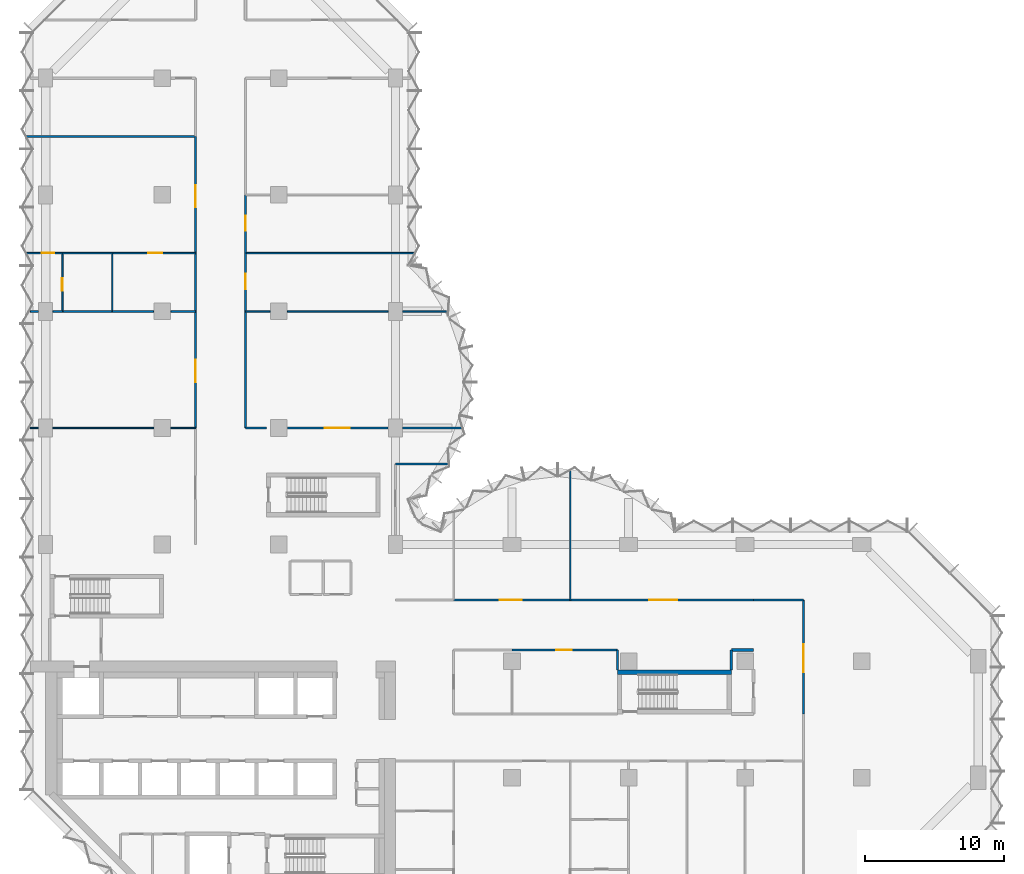
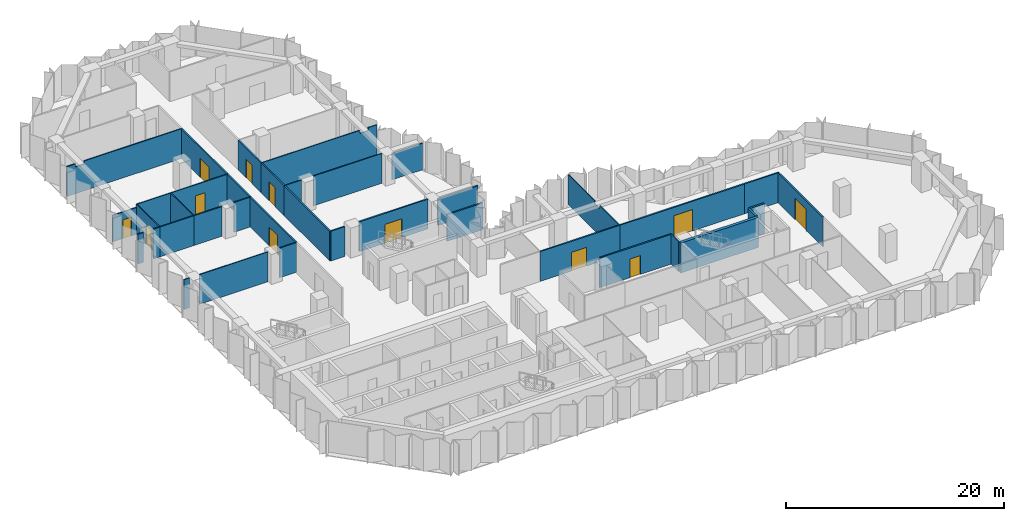
# One storey, part 10 of 13: 38 walls, 12 doors, 12 openings.
"""IFC4 building model written with IfcOpenShell, lengths in metres."""

from ifc_helpers import new_model, si_unit, direction, frame, frame_2d, origin, place, context, subcontext, project, spatial, polyline, rectangle, outline, extrude, material, layer, layer_set, type_object, element, fill, save


model = new_model("IFC4")

# Units and contexts
model_context = context("Model", 3, precision=1e-05, world=origin(), true_north=direction((0.0, 1.0)))
body_context = subcontext(model_context, "Body", "Model", "MODEL_VIEW")
ifc_project = project(units=[si_unit("LENGTHUNIT", "METRE"), si_unit("AREAUNIT", "SQUARE_METRE"), si_unit("VOLUMEUNIT", "CUBIC_METRE"), si_unit("PLANEANGLEUNIT", "RADIAN"), si_unit("MASSUNIT", "GRAM", prefix="KILO")], contexts=[model_context])

# Site, building, storey
site_placement = place(None, origin())
site = spatial("IfcSite", under=ifc_project, at=site_placement, CompositionType="ELEMENT")
building_placement = place(site_placement, origin())
building = spatial("IfcBuilding", under=site, at=building_placement, Name="Brevane Broadcast Tower", CompositionType="ELEMENT")
storey_placement = place(building_placement, frame((0.0, 0.0, 106.10009765625)))
storey = spatial("IfcBuildingStorey", under=building, at=storey_placement, Name="L25", CompositionType="ELEMENT", Elevation=106.10009765625)

# Walls
ifc_material_1 = material(Name="Concrete C60/75", Category="concrete")
ifc_layer_1 = layer(ifc_material_1, 0.300048828125)
ifc_layer_set_1 = layer_set([ifc_layer_1], Name="Core wall 300 mm C60/75")
wall_type_1 = type_object("IfcWallType", Name="Core wall 300 mm C60/75", PredefinedType="SHEAR", material=ifc_layer_set_1)
wall_1_placement = place(storey_placement, frame((41.199951171875, 16.0, 0.0), z_axis=(0.0, 0.0, 1.0), x_axis=(1.0, 0.0, 0.0)))
element("IfcWall", 1, at=wall_1_placement, inside=storey, type_object=wall_type_1, Name="L25 stair wall ST-4-N", PredefinedType="SHEAR", context=body_context, shape_type="SweptSolid", body=[
    extrude(rectangle(XDim=8.199951171875, YDim=0.300048828125, at=frame_2d((4.10009765625, 0.0))), origin(), (0.0, 0.0, 1.0), 3.349853515625),
])
ifc_material_2 = material(Name="Gypsum board partition")
ifc_layer_2 = layer(ifc_material_2, 0.10009765625)
ifc_layer_set_2 = layer_set([ifc_layer_2], Name="PARTITION 100 STUD")
wall_type_2 = type_object("IfcWallType", Name="PARTITION 100 STUD", PredefinedType="PARTITIONING", material=ifc_layer_set_2)
wall_2_placement = place(storey_placement, frame((37.800048828125, 30.52587890625, 0.0), z_axis=(0.0, 0.0, 1.0), x_axis=(0.0, -1.0, 0.0)))
element("IfcWall", 2, at=wall_2_placement, inside=storey, type_object=wall_type_2, Name="Partition G07-047", PredefinedType="PARTITIONING", context=body_context, shape_type="SweptSolid", body=[
    extrude(outline(polyline([(0.0, 0.0), (9.325927734375, 0.0), (9.325927734375, 3.329833984375), (5.77587890625, 3.329833984375), (5.77392578125, 2.97998046875), (4.8779296875, 2.97998046875), (4.8759765625, 3.329833984375), (0.283203125, 3.329833984375), (0.0, 3.329833984375), (0.0, 0.0)])), frame((0.0, 0.050048828125, 0.0), z_axis=(0.0, -1.0, 0.0), x_axis=(1.0, 0.0, 0.0)), (0.0, 0.0, 1.0), 0.10009765625),
])
wall_3_placement = place(storey_placement, frame((-1.10009765625, 33.60009765625, 0.0), z_axis=(0.0, 0.0, 1.0), x_axis=(1.0, 0.0, 0.0)))
element("IfcWall", 3, at=wall_3_placement, inside=storey, type_object=wall_type_2, Name="Partition G07-066", PredefinedType="PARTITIONING", context=body_context, shape_type="SweptSolid", body=[
    extrude(rectangle(XDim=0.580078125, YDim=0.10009765625, at=frame_2d((0.2900390625, 0.0))), origin(), (0.0, 0.0, 1.0), 3.329833984375),
])
wall_4_placement = place(storey_placement, frame((0.52001953125, 33.60009765625, 0.0), z_axis=(0.0, 0.0, 1.0), x_axis=(1.0, 0.0, 0.0)))
element("IfcWall", 4, at=wall_4_placement, inside=storey, type_object=wall_type_2, Name="Partition G07-067", PredefinedType="PARTITIONING", context=body_context, shape_type="SweptSolid", body=[
    extrude(rectangle(XDim=7.260009765625, YDim=0.10009765625, at=frame_2d((3.6298828125, 0.0))), origin(), (0.0, 0.0, 1.0), 3.329833984375),
])
wall_5_placement = place(storey_placement, frame((9.02001953125, 33.60009765625, 0.0), z_axis=(0.0, 0.0, 1.0), x_axis=(1.0, 0.0, 0.0)))
element("IfcWall", 5, at=wall_5_placement, inside=storey, type_object=wall_type_2, Name="Partition G07-068", PredefinedType="PARTITIONING", context=body_context, shape_type="SweptSolid", body=[
    extrude(rectangle(XDim=1.780029296875, YDim=0.10009765625, at=frame_2d((0.89013671875, 0.0))), origin(), (0.0, 0.0, 1.0), 3.329833984375),
])

# Wall, opening, door
wall_6_placement = place(storey_placement, frame((1.199951171875, 46.199951171875, 0.0), z_axis=(0.0, 0.0, 1.0), x_axis=(-1.0, 0.0, 0.0)))
wall_6 = element("IfcWall", 6, at=wall_6_placement, inside=storey, type_object=wall_type_2, Name="Partition G07-074", PredefinedType="PARTITIONING", context=body_context, shape_type="SweptSolid", body=[
    extrude(rectangle(XDim=2.56494140625, YDim=0.10009765625, at=frame_2d((1.282470703125, 0.0))), origin(), (0.0, 0.0, 1.0), 2.97998046875),
])
opening_1_placement = place(wall_6_placement, frame((0.60009765625, 0.0, 0.0)))
opening_1 = element("IfcOpeningElement", 7, at=opening_1_placement, cuts=wall_6, Name="Opening D14-021", PredefinedType="OPENING", context=body_context, shape_type="SweptSolid", body=[
    extrude(rectangle(XDim=0.89990234375, YDim=2.10009765625, at=frame_2d((0.449951171875, 1.050048828125))), frame((0.0, 0.06005859375, 0.0), z_axis=(0.0, -1.0, 0.0), x_axis=(1.0, 0.0, 0.0)), (0.0, 0.0, 1.0), 0.1201171875),
])
ifc_material_3 = material(Name="Timber door leaf", Category="wood")
door_type_1 = type_object("IfcDoorType", Name="DOOR SINGLE 900 INTERNAL", OperationType="SINGLE_SWING_LEFT", PredefinedType="DOOR", material=ifc_material_3)
door_1_placement = place(opening_1_placement, origin())
door_1 = element("IfcDoor", 8, at=door_1_placement, inside=storey, type_object=door_type_1, Name="Door D14-021", OperationType="SINGLE_SWING_LEFT", OverallHeight=2.10009765625, OverallWidth=0.89990234375, PredefinedType="DOOR", context=body_context, shape_type="SweptSolid", body=[
    extrude(rectangle(XDim=0.89990234375, YDim=2.10009765625, at=frame_2d((0.449951171875, 1.050048828125))), frame((0.0, 0.02490234375, 0.0), z_axis=(0.0, -1.0, 0.0), x_axis=(1.0, 0.0, 0.0)), (0.0, 0.0, 1.0), 0.050048828125),
])
fill(opening_1, door_1)

# Wall
wall_7_placement = place(storey_placement, frame((4.800048828125, 46.199951171875, 0.0), z_axis=(0.0, 0.0, 1.0), x_axis=(-1.0, 0.0, 0.0)))
element("IfcWall", 9, at=wall_7_placement, inside=storey, type_object=wall_type_2, Name="Partition G07-075", PredefinedType="PARTITIONING", context=body_context, shape_type="SweptSolid", body=[
    extrude(rectangle(XDim=3.60009765625, YDim=0.10009765625, at=frame_2d((1.800048828125, 0.0))), origin(), (0.0, 0.0, 1.0), 3.329833984375),
])

# Wall, opening, door
wall_8_placement = place(storey_placement, frame((10.800048828125, 46.199951171875, 0.0), z_axis=(0.0, 0.0, 1.0), x_axis=(-1.0, 0.0, 0.0)))
wall_8 = element("IfcWall", 10, at=wall_8_placement, inside=storey, type_object=wall_type_2, Name="Partition G07-076", PredefinedType="PARTITIONING", context=body_context, shape_type="SweptSolid", body=[
    extrude(rectangle(XDim=6.0, YDim=0.10009765625, at=frame_2d((3.0, 0.0))), origin(), (0.0, 0.0, 1.0), 3.329833984375),
])
opening_2_placement = place(wall_8_placement, frame((2.39990234375, 0.0, 0.0)))
opening_2 = element("IfcOpeningElement", 11, at=opening_2_placement, cuts=wall_8, Name="Opening D14-023", PredefinedType="OPENING", context=body_context, shape_type="SweptSolid", body=[
    extrude(rectangle(XDim=1.0, YDim=2.10009765625, at=frame_2d((0.5, 1.050048828125))), frame((0.0, 0.06005859375, 0.0), z_axis=(0.0, -1.0, 0.0), x_axis=(1.0, 0.0, 0.0)), (0.0, 0.0, 1.0), 0.1201171875),
])
door_type_2 = type_object("IfcDoorType", Name="DOOR SINGLE 1000 INTERNAL", OperationType="SINGLE_SWING_LEFT", PredefinedType="DOOR", material=ifc_material_3)
door_2_placement = place(opening_2_placement, origin())
door_2 = element("IfcDoor", 12, at=door_2_placement, inside=storey, type_object=door_type_2, Name="Door D14-023", OperationType="SINGLE_SWING_LEFT", OverallHeight=2.10009765625, OverallWidth=1.0, PredefinedType="DOOR", context=body_context, shape_type="SweptSolid", body=[
    extrude(rectangle(XDim=1.0, YDim=2.10009765625, at=frame_2d((0.5, 1.050048828125))), frame((0.0, 0.02490234375, 0.0), z_axis=(0.0, -1.0, 0.0), x_axis=(1.0, 0.0, 0.0)), (0.0, 0.0, 1.0), 0.050048828125),
])
fill(opening_2, door_2)

wall_9_placement = place(storey_placement, frame((1.199951171875, 46.199951171875, 0.0), z_axis=(0.0, 0.0, 1.0), x_axis=(0.0, -1.0, 0.0)))
wall_9 = element("IfcWall", 13, at=wall_9_placement, inside=storey, type_object=wall_type_2, Name="Partition G07-078", PredefinedType="PARTITIONING", context=body_context, shape_type="SweptSolid", body=[
    extrude(rectangle(XDim=4.199951171875, YDim=0.10009765625, at=frame_2d((2.10009765625, 0.0))), origin(), (0.0, 0.0, 1.0), 3.329833984375),
])
opening_3_placement = place(wall_9_placement, frame((1.800048828125, 0.0, 0.0)))
opening_3 = element("IfcOpeningElement", 14, at=opening_3_placement, cuts=wall_9, Name="Opening D14-022", PredefinedType="OPENING", context=body_context, shape_type="SweptSolid", body=[
    extrude(rectangle(XDim=0.89990234375, YDim=2.10009765625, at=frame_2d((0.449951171875, 1.050048828125))), frame((0.0, 0.06005859375, 0.0), z_axis=(0.0, -1.0, 0.0), x_axis=(1.0, 0.0, 0.0)), (0.0, 0.0, 1.0), 0.1201171875),
])
door_3_placement = place(opening_3_placement, origin())
door_3 = element("IfcDoor", 15, at=door_3_placement, inside=storey, type_object=door_type_1, Name="Door D14-022", OperationType="SINGLE_SWING_LEFT", OverallHeight=2.10009765625, OverallWidth=0.89990234375, PredefinedType="DOOR", context=body_context, shape_type="SweptSolid", body=[
    extrude(rectangle(XDim=0.89990234375, YDim=2.10009765625, at=frame_2d((0.449951171875, 1.050048828125))), frame((0.0, 0.02490234375, 0.0), z_axis=(0.0, -1.0, 0.0), x_axis=(1.0, 0.0, 0.0)), (0.0, 0.0, 1.0), 0.050048828125),
])
fill(opening_3, door_3)

# Walls
wall_10_placement = place(storey_placement, frame((4.800048828125, 46.199951171875, 0.0), z_axis=(0.0, 0.0, 1.0), x_axis=(0.0, -1.0, 0.0)))
element("IfcWall", 16, at=wall_10_placement, inside=storey, type_object=wall_type_2, Name="Partition G07-079", PredefinedType="PARTITIONING", context=body_context, shape_type="SweptSolid", body=[
    extrude(rectangle(XDim=4.199951171875, YDim=0.10009765625, at=frame_2d((2.10009765625, 0.0))), origin(), (0.0, 0.0, 1.0), 3.329833984375),
])
wall_11_placement = place(storey_placement, frame((14.39990234375, 42.0, 0.0), z_axis=(0.0, 0.0, 1.0), x_axis=(1.0, 0.0, 0.0)))
element("IfcWall", 17, at=wall_11_placement, inside=storey, type_object=wall_type_2, Name="Partition G07-084", PredefinedType="PARTITIONING", context=body_context, shape_type="SweptSolid", body=[
    extrude(rectangle(XDim=1.780029296875, YDim=0.10009765625, at=frame_2d((0.89013671875, 0.0))), origin(), (0.0, 0.0, 1.0), 3.329833984375),
])
wall_12_placement = place(storey_placement, frame((17.419921875, 42.0, 0.0), z_axis=(0.0, 0.0, 1.0), x_axis=(1.0, 0.0, 0.0)))
element("IfcWall", 18, at=wall_12_placement, inside=storey, type_object=wall_type_2, Name="Partition G07-085", PredefinedType="PARTITIONING", context=body_context, shape_type="SweptSolid", body=[
    extrude(rectangle(XDim=7.260009765625, YDim=0.10009765625, at=frame_2d((3.6298828125, 0.0))), origin(), (0.0, 0.0, 1.0), 3.329833984375),
])
wall_13_placement = place(storey_placement, frame((25.719970703125, 42.0, 0.0), z_axis=(0.0, 0.0, 1.0), x_axis=(1.0, 0.0, 0.0)))
element("IfcWall", 19, at=wall_13_placement, inside=storey, type_object=wall_type_2, Name="Partition G07-086", PredefinedType="PARTITIONING", context=body_context, shape_type="SweptSolid", body=[
    extrude(rectangle(XDim=3.29150390625, YDim=0.10009765625, at=frame_2d((1.645751953125, 0.0))), origin(), (0.0, 0.0, 1.0), 2.97998046875),
])
wall_14_placement = place(storey_placement, frame((14.39990234375, 46.199951171875, 0.0), z_axis=(0.0, 0.0, 1.0), x_axis=(1.0, 0.0, 0.0)))
element("IfcWall", 20, at=wall_14_placement, inside=storey, type_object=wall_type_2, Name="Partition G07-087", PredefinedType="PARTITIONING", context=body_context, shape_type="SweptSolid", body=[
    extrude(outline(polyline([(0.0, 0.0), (12.1650390625, 0.0), (12.1650390625, 3.329833984375), (11.89990234375, 3.329833984375), (11.25, 3.329833984375), (11.248046875, 2.97998046875), (10.35205078125, 2.97998046875), (10.35009765625, 3.329833984375), (0.0, 3.329833984375), (0.0, 0.0)])), frame((0.0, 0.050048828125, 0.0), z_axis=(0.0, -1.0, 0.0), x_axis=(1.0, 0.0, 0.0)), (0.0, 0.0, 1.0), 0.10009765625),
])
ifc_layer_3 = layer(ifc_material_2, 0.125)
ifc_layer_set_3 = layer_set([ifc_layer_3], Name="PARTITION 125 ACOUSTIC")
wall_type_3 = type_object("IfcWallType", Name="PARTITION 125 ACOUSTIC", PredefinedType="PARTITIONING", material=ifc_layer_set_3)
wall_15_placement = place(storey_placement, frame((-1.10009765625, 42.0, 0.0), z_axis=(0.0, 0.0, 1.0), x_axis=(1.0, 0.0, 0.0)))
element("IfcWall", 21, at=wall_15_placement, inside=storey, type_object=wall_type_3, Name="Partition G07-069", PredefinedType="PARTITIONING", context=body_context, shape_type="SweptSolid", body=[
    extrude(rectangle(XDim=0.580078125, YDim=0.125, at=frame_2d((0.2900390625, 0.0))), origin(), (0.0, 0.0, 1.0), 3.329833984375),
])
wall_16_placement = place(storey_placement, frame((0.52001953125, 42.0, 0.0), z_axis=(0.0, 0.0, 1.0), x_axis=(1.0, 0.0, 0.0)))
element("IfcWall", 22, at=wall_16_placement, inside=storey, type_object=wall_type_3, Name="Partition G07-070", PredefinedType="PARTITIONING", context=body_context, shape_type="SweptSolid", body=[
    extrude(rectangle(XDim=0.679931640625, YDim=0.125, at=frame_2d((0.33984375, 0.0))), origin(), (0.0, 0.0, 1.0), 3.329833984375),
])
wall_17_placement = place(storey_placement, frame((1.199951171875, 42.0, 0.0), z_axis=(0.0, 0.0, 1.0), x_axis=(1.0, 0.0, 0.0)))
element("IfcWall", 23, at=wall_17_placement, inside=storey, type_object=wall_type_3, Name="Partition G07-071", PredefinedType="PARTITIONING", context=body_context, shape_type="SweptSolid", body=[
    extrude(rectangle(XDim=3.60009765625, YDim=0.125, at=frame_2d((1.800048828125, 0.0))), origin(), (0.0, 0.0, 1.0), 3.329833984375),
])
wall_18_placement = place(storey_placement, frame((4.800048828125, 42.0, 0.0), z_axis=(0.0, 0.0, 1.0), x_axis=(1.0, 0.0, 0.0)))
element("IfcWall", 24, at=wall_18_placement, inside=storey, type_object=wall_type_3, Name="Partition G07-072", PredefinedType="PARTITIONING", context=body_context, shape_type="SweptSolid", body=[
    extrude(rectangle(XDim=2.97998046875, YDim=0.125, at=frame_2d((1.489990234375, 0.0))), origin(), (0.0, 0.0, 1.0), 3.329833984375),
])
wall_19_placement = place(storey_placement, frame((9.02001953125, 42.0, 0.0), z_axis=(0.0, 0.0, 1.0), x_axis=(1.0, 0.0, 0.0)))
element("IfcWall", 25, at=wall_19_placement, inside=storey, type_object=wall_type_3, Name="Partition G07-073", PredefinedType="PARTITIONING", context=body_context, shape_type="SweptSolid", body=[
    extrude(rectangle(XDim=1.780029296875, YDim=0.125, at=frame_2d((0.89013671875, 0.0))), origin(), (0.0, 0.0, 1.0), 3.329833984375),
])
wall_20_placement = place(storey_placement, frame((-1.364990234375, 54.60009765625, 0.0), z_axis=(0.0, 0.0, 1.0), x_axis=(1.0, 0.0, 0.0)))
element("IfcWall", 26, at=wall_20_placement, inside=storey, type_object=wall_type_3, Name="Partition G07-077", PredefinedType="PARTITIONING", context=body_context, shape_type="SweptSolid", body=[
    extrude(outline(polyline([(0.0, 0.0), (12.1650390625, 0.0), (12.1650390625, 3.329833984375), (1.81494140625, 3.329833984375), (1.81298828125, 2.97998046875), (0.9169921875, 2.97998046875), (0.9150390625, 3.329833984375), (0.264892578125, 3.329833984375), (0.0, 3.329833984375), (0.0, 0.0)])), frame((0.0, 0.0625, 0.0), z_axis=(0.0, -1.0, 0.0), x_axis=(1.0, 0.0, 0.0)), (0.0, 0.0, 1.0), 0.125),
])
ifc_layer_4 = layer(ifc_material_2, 0.14990234375)
ifc_layer_set_4 = layer_set([ifc_layer_4], Name="PARTITION 150 EI 60")
wall_type_4 = type_object("IfcWallType", Name="PARTITION 150 EI 60", PredefinedType="PARTITIONING", material=ifc_layer_set_4)
wall_21_placement = place(storey_placement, frame((25.199951171875, 31.0, 0.0), z_axis=(0.0, 0.0, 1.0), x_axis=(1.0, 0.0, 0.0)))
element("IfcWall", 27, at=wall_21_placement, inside=storey, type_object=wall_type_4, Name="Partition G07-006", PredefinedType="PARTITIONING", context=body_context, shape_type="SweptSolid", body=[
    extrude(rectangle(XDim=3.80615234375, YDim=0.14990234375, at=frame_2d((1.903076171875, 0.0))), origin(), (0.0, 0.0, 1.0), 2.97998046875),
])

# Wall, opening, door
wall_22_placement = place(storey_placement, frame((54.60009765625, 21.199951171875, 0.0), z_axis=(0.0, 0.0, 1.0), x_axis=(0.0, -1.0, 0.0)))
wall_22 = element("IfcWall", 28, at=wall_22_placement, inside=storey, type_object=wall_type_4, Name="Partition G07-016", PredefinedType="PARTITIONING", context=body_context, shape_type="SweptSolid", body=[
    extrude(rectangle(XDim=8.199951171875, YDim=0.14990234375, at=frame_2d((4.10009765625, 0.0))), origin(), (0.0, 0.0, 1.0), 3.329833984375),
])
opening_4_placement = place(wall_22_placement, frame((3.199951171875, 0.0, 0.0)))
opening_4 = element("IfcOpeningElement", 29, at=opening_4_placement, cuts=wall_22, Name="Opening D14-002", PredefinedType="OPENING", context=body_context, shape_type="SweptSolid", body=[
    extrude(rectangle(XDim=2.0, YDim=2.39990234375, at=frame_2d((1.0, 1.199951171875))), frame((0.0, 0.0849609375, 0.0), z_axis=(0.0, -1.0, 0.0), x_axis=(1.0, 0.0, 0.0)), (0.0, 0.0, 1.0), 0.169921875),
])
ifc_material_4 = material(Name="Fire-rated timber door leaf", Category="wood")
door_type_3 = type_object("IfcDoorType", Name="DOOR DOUBLE 2000 FD30S", OperationType="DOUBLE_DOOR_SINGLE_SWING", PredefinedType="DOOR", material=ifc_material_4)
door_4_placement = place(opening_4_placement, origin())
door_4 = element("IfcDoor", 30, at=door_4_placement, inside=storey, type_object=door_type_3, Name="Door D14-002", OperationType="DOUBLE_DOOR_SINGLE_SWING", OverallHeight=2.39990234375, OverallWidth=2.0, PredefinedType="DOOR", context=body_context, shape_type="SweptSolid", body=[
    extrude(rectangle(XDim=2.0, YDim=2.39990234375, at=frame_2d((1.0, 1.199951171875))), frame((0.0, 0.02490234375, 0.0), z_axis=(0.0, -1.0, 0.0), x_axis=(1.0, 0.0, 0.0)), (0.0, 0.0, 1.0), 0.050048828125),
])
fill(opening_4, door_4)

# Wall
wall_23_placement = place(storey_placement, frame((41.199951171875, 16.14990234375, 0.0), z_axis=(0.0, 0.0, 1.0), x_axis=(0.0, 1.0, 0.0)))
element("IfcWall", 31, at=wall_23_placement, inside=storey, type_object=wall_type_4, Name="Partition G07-019", PredefinedType="PARTITIONING", context=body_context, shape_type="SweptSolid", body=[
    extrude(rectangle(XDim=1.4501953125, YDim=0.14990234375, at=frame_2d((0.72509765625, 0.0))), origin(), (0.0, 0.0, 1.0), 3.329833984375),
])

# Wall, opening, door
wall_24_placement = place(storey_placement, frame((41.199951171875, 17.60009765625, 0.0), z_axis=(0.0, 0.0, 1.0), x_axis=(-1.0, 0.0, 0.0)))
wall_24 = element("IfcWall", 32, at=wall_24_placement, inside=storey, type_object=wall_type_4, Name="Partition G07-020", PredefinedType="PARTITIONING", context=body_context, shape_type="SweptSolid", body=[
    extrude(rectangle(XDim=7.599853515625, YDim=0.14990234375, at=frame_2d((3.7998046875, 0.0))), origin(), (0.0, 0.0, 1.0), 3.329833984375),
])
opening_5_placement = place(wall_24_placement, frame((3.300048828125, 0.0, 0.0)))
opening_5 = element("IfcOpeningElement", 33, at=opening_5_placement, cuts=wall_24, Name="Opening D14-004", PredefinedType="OPENING", context=body_context, shape_type="SweptSolid", body=[
    extrude(rectangle(XDim=1.10009765625, YDim=2.10009765625, at=frame_2d((0.550048828125, 1.050048828125))), frame((0.0, 0.0849609375, 0.0), z_axis=(0.0, -1.0, 0.0), x_axis=(1.0, 0.0, 0.0)), (0.0, 0.0, 1.0), 0.169921875),
])
door_type_4 = type_object("IfcDoorType", Name="DOOR SINGLE 1100 FD30S", OperationType="SINGLE_SWING_LEFT", PredefinedType="DOOR", material=ifc_material_4)
door_5_placement = place(opening_5_placement, origin())
door_5 = element("IfcDoor", 34, at=door_5_placement, inside=storey, type_object=door_type_4, Name="Door D14-004", OperationType="SINGLE_SWING_LEFT", OverallHeight=2.10009765625, OverallWidth=1.10009765625, PredefinedType="DOOR", context=body_context, shape_type="SweptSolid", body=[
    extrude(rectangle(XDim=1.10009765625, YDim=2.10009765625, at=frame_2d((0.550048828125, 1.050048828125))), frame((0.0, 0.02490234375, 0.0), z_axis=(0.0, -1.0, 0.0), x_axis=(1.0, 0.0, 0.0)), (0.0, 0.0, 1.0), 0.050048828125),
])
fill(opening_5, door_5)

wall_25_placement = place(storey_placement, frame((29.39990234375, 21.199951171875, 0.0), z_axis=(0.0, 0.0, 1.0), x_axis=(1.0, 0.0, 0.0)))
wall_25 = element("IfcWall", 35, at=wall_25_placement, inside=storey, type_object=wall_type_4, Name="Partition G07-023", PredefinedType="PARTITIONING", context=body_context, shape_type="SweptSolid", body=[
    extrude(rectangle(XDim=8.400146484375, YDim=0.14990234375, at=frame_2d((4.2001953125, 0.0))), origin(), (0.0, 0.0, 1.0), 3.329833984375),
])
opening_6_placement = place(wall_25_placement, frame((3.300048828125, 0.0, 0.0)))
opening_6 = element("IfcOpeningElement", 36, at=opening_6_placement, cuts=wall_25, Name="Opening D14-016", PredefinedType="OPENING", context=body_context, shape_type="SweptSolid", body=[
    extrude(rectangle(XDim=1.60009765625, YDim=2.10009765625, at=frame_2d((0.800048828125, 1.050048828125))), frame((0.0, 0.0849609375, 0.0), z_axis=(0.0, -1.0, 0.0), x_axis=(1.0, 0.0, 0.0)), (0.0, 0.0, 1.0), 0.169921875),
])
door_type_5 = type_object("IfcDoorType", Name="DOOR DOUBLE 1600 FD30S", OperationType="DOUBLE_DOOR_SINGLE_SWING", PredefinedType="DOOR", material=ifc_material_4)
door_6_placement = place(opening_6_placement, origin())
door_6 = element("IfcDoor", 37, at=door_6_placement, inside=storey, type_object=door_type_5, Name="Door D14-016", OperationType="DOUBLE_DOOR_SINGLE_SWING", OverallHeight=2.10009765625, OverallWidth=1.60009765625, PredefinedType="DOOR", context=body_context, shape_type="SweptSolid", body=[
    extrude(rectangle(XDim=1.60009765625, YDim=2.10009765625, at=frame_2d((0.800048828125, 1.050048828125))), frame((0.0, 0.02490234375, 0.0), z_axis=(0.0, -1.0, 0.0), x_axis=(1.0, 0.0, 0.0)), (0.0, 0.0, 1.0), 0.050048828125),
])
fill(opening_6, door_6)

wall_26_placement = place(storey_placement, frame((37.800048828125, 21.199951171875, 0.0), z_axis=(0.0, 0.0, 1.0), x_axis=(1.0, 0.0, 0.0)))
wall_26 = element("IfcWall", 38, at=wall_26_placement, inside=storey, type_object=wall_type_4, Name="Partition G07-024", PredefinedType="PARTITIONING", context=body_context, shape_type="SweptSolid", body=[
    extrude(rectangle(XDim=13.199951171875, YDim=0.14990234375, at=frame_2d((6.60009765625, 0.0))), origin(), (0.0, 0.0, 1.0), 3.329833984375),
])
opening_7_placement = place(wall_26_placement, frame((5.699951171875, 0.0, 0.0)))
opening_7 = element("IfcOpeningElement", 39, at=opening_7_placement, cuts=wall_26, Name="Opening D14-017", PredefinedType="OPENING", context=body_context, shape_type="SweptSolid", body=[
    extrude(rectangle(XDim=2.0, YDim=2.39990234375, at=frame_2d((1.0, 1.199951171875))), frame((0.0, 0.0849609375, 0.0), z_axis=(0.0, -1.0, 0.0), x_axis=(1.0, 0.0, 0.0)), (0.0, 0.0, 1.0), 0.169921875),
])
door_7_placement = place(opening_7_placement, origin())
door_7 = element("IfcDoor", 40, at=door_7_placement, inside=storey, type_object=door_type_3, Name="Door D14-017", OperationType="DOUBLE_DOOR_SINGLE_SWING", OverallHeight=2.39990234375, OverallWidth=2.0, PredefinedType="DOOR", context=body_context, shape_type="SweptSolid", body=[
    extrude(rectangle(XDim=2.0, YDim=2.39990234375, at=frame_2d((1.0, 1.199951171875))), frame((0.0, 0.02490234375, 0.0), z_axis=(0.0, -1.0, 0.0), x_axis=(1.0, 0.0, 0.0)), (0.0, 0.0, 1.0), 0.050048828125),
])
fill(opening_7, door_7)

# Walls
wall_27_placement = place(storey_placement, frame((51.0, 21.199951171875, 0.0), z_axis=(0.0, 0.0, 1.0), x_axis=(1.0, 0.0, 0.0)))
element("IfcWall", 41, at=wall_27_placement, inside=storey, type_object=wall_type_4, Name="Partition G07-026", PredefinedType="PARTITIONING", context=body_context, shape_type="SweptSolid", body=[
    extrude(rectangle(XDim=3.60009765625, YDim=0.14990234375, at=frame_2d((1.800048828125, 0.0))), origin(), (0.0, 0.0, 1.0), 3.329833984375),
])
wall_28_placement = place(storey_placement, frame((14.39990234375, 33.60009765625, 0.0), z_axis=(0.0, 0.0, 1.0), x_axis=(1.0, 0.0, 0.0)))
element("IfcWall", 42, at=wall_28_placement, inside=storey, type_object=wall_type_4, Name="Partition G07-049", PredefinedType="PARTITIONING", context=body_context, shape_type="SweptSolid", body=[
    extrude(rectangle(XDim=1.5, YDim=0.14990234375, at=frame_2d((0.75, 0.0))), origin(), (0.0, 0.0, 1.0), 3.329833984375),
])

# Wall, opening, door
wall_29_placement = place(storey_placement, frame((17.419921875, 33.60009765625, 0.0), z_axis=(0.0, 0.0, 1.0), x_axis=(1.0, 0.0, 0.0)))
wall_29 = element("IfcWall", 43, at=wall_29_placement, inside=storey, type_object=wall_type_4, Name="Partition G07-050", PredefinedType="PARTITIONING", context=body_context, shape_type="SweptSolid", body=[
    extrude(rectangle(XDim=7.260009765625, YDim=0.14990234375, at=frame_2d((3.6298828125, 0.0))), origin(), (0.0, 0.0, 1.0), 3.329833984375),
])
opening_8_placement = place(wall_29_placement, frame((2.699951171875, 0.0, 0.0)))
opening_8 = element("IfcOpeningElement", 44, at=opening_8_placement, cuts=wall_29, Name="Opening D14-026", PredefinedType="OPENING", context=body_context, shape_type="SweptSolid", body=[
    extrude(rectangle(XDim=1.800048828125, YDim=2.10009765625, at=frame_2d((0.89990234375, 1.050048828125))), frame((0.0, 0.0849609375, 0.0), z_axis=(0.0, -1.0, 0.0), x_axis=(1.0, 0.0, 0.0)), (0.0, 0.0, 1.0), 0.169921875),
])
door_type_6 = type_object("IfcDoorType", Name="DOOR DOUBLE 1800 FD30S", OperationType="DOUBLE_DOOR_SINGLE_SWING", PredefinedType="DOOR", material=ifc_material_4)
door_8_placement = place(opening_8_placement, origin())
door_8 = element("IfcDoor", 45, at=door_8_placement, inside=storey, type_object=door_type_6, Name="Door D14-026", OperationType="DOUBLE_DOOR_SINGLE_SWING", OverallHeight=2.10009765625, OverallWidth=1.800048828125, PredefinedType="DOOR", context=body_context, shape_type="SweptSolid", body=[
    extrude(rectangle(XDim=1.800048828125, YDim=2.10009765625, at=frame_2d((0.89990234375, 1.050048828125))), frame((0.0, 0.02490234375, 0.0), z_axis=(0.0, -1.0, 0.0), x_axis=(1.0, 0.0, 0.0)), (0.0, 0.0, 1.0), 0.050048828125),
])
fill(opening_8, door_8)

# Wall
wall_30_placement = place(storey_placement, frame((25.719970703125, 33.60009765625, 0.0), z_axis=(0.0, 0.0, 1.0), x_axis=(1.0, 0.0, 0.0)))
element("IfcWall", 46, at=wall_30_placement, inside=storey, type_object=wall_type_4, Name="Partition G07-051", PredefinedType="PARTITIONING", context=body_context, shape_type="SweptSolid", body=[
    extrude(rectangle(XDim=4.268310546875, YDim=0.14990234375, at=frame_2d((2.13427734375, 0.0))), origin(), (0.0, 0.0, 1.0), 2.97998046875),
])

# Wall, opening, door
wall_31_placement = place(storey_placement, frame((10.800048828125, 33.60009765625, 0.0), z_axis=(0.0, 0.0, 1.0), x_axis=(0.0, 1.0, 0.0)))
wall_31 = element("IfcWall", 47, at=wall_31_placement, inside=storey, type_object=wall_type_4, Name="Partition G07-052", PredefinedType="PARTITIONING", context=body_context, shape_type="SweptSolid", body=[
    extrude(rectangle(XDim=8.39990234375, YDim=0.14990234375, at=frame_2d((4.199951171875, 0.0))), origin(), (0.0, 0.0, 1.0), 3.329833984375),
])
opening_9_placement = place(wall_31_placement, frame((3.300048828125, 0.0, 0.0)))
opening_9 = element("IfcOpeningElement", 48, at=opening_9_placement, cuts=wall_31, Name="Opening D14-019", PredefinedType="OPENING", context=body_context, shape_type="SweptSolid", body=[
    extrude(rectangle(XDim=1.60009765625, YDim=2.10009765625, at=frame_2d((0.800048828125, 1.050048828125))), frame((0.0, 0.0849609375, 0.0), z_axis=(0.0, -1.0, 0.0), x_axis=(1.0, 0.0, 0.0)), (0.0, 0.0, 1.0), 0.169921875),
])
door_9_placement = place(opening_9_placement, origin())
door_9 = element("IfcDoor", 49, at=door_9_placement, inside=storey, type_object=door_type_5, Name="Door D14-019", OperationType="DOUBLE_DOOR_SINGLE_SWING", OverallHeight=2.10009765625, OverallWidth=1.60009765625, PredefinedType="DOOR", context=body_context, shape_type="SweptSolid", body=[
    extrude(rectangle(XDim=1.60009765625, YDim=2.10009765625, at=frame_2d((0.800048828125, 1.050048828125))), frame((0.0, 0.02490234375, 0.0), z_axis=(0.0, -1.0, 0.0), x_axis=(1.0, 0.0, 0.0)), (0.0, 0.0, 1.0), 0.050048828125),
])
fill(opening_9, door_9)

wall_32_placement = place(storey_placement, frame((10.800048828125, 46.199951171875, 0.0), z_axis=(0.0, 0.0, 1.0), x_axis=(0.0, 1.0, 0.0)))
wall_32 = element("IfcWall", 50, at=wall_32_placement, inside=storey, type_object=wall_type_4, Name="Partition G07-053", PredefinedType="PARTITIONING", context=body_context, shape_type="SweptSolid", body=[
    extrude(rectangle(XDim=8.400146484375, YDim=0.14990234375, at=frame_2d((4.2001953125, 0.0))), origin(), (0.0, 0.0, 1.0), 3.329833984375),
])
opening_10_placement = place(wall_32_placement, frame((3.300048828125, 0.0, 0.0)))
opening_10 = element("IfcOpeningElement", 51, at=opening_10_placement, cuts=wall_32, Name="Opening D14-020", PredefinedType="OPENING", context=body_context, shape_type="SweptSolid", body=[
    extrude(rectangle(XDim=1.60009765625, YDim=2.10009765625, at=frame_2d((0.800048828125, 1.050048828125))), frame((0.0, 0.0849609375, 0.0), z_axis=(0.0, -1.0, 0.0), x_axis=(1.0, 0.0, 0.0)), (0.0, 0.0, 1.0), 0.169921875),
])
door_10_placement = place(opening_10_placement, origin())
door_10 = element("IfcDoor", 52, at=door_10_placement, inside=storey, type_object=door_type_5, Name="Door D14-020", OperationType="DOUBLE_DOOR_SINGLE_SWING", OverallHeight=2.10009765625, OverallWidth=1.60009765625, PredefinedType="DOOR", context=body_context, shape_type="SweptSolid", body=[
    extrude(rectangle(XDim=1.60009765625, YDim=2.10009765625, at=frame_2d((0.800048828125, 1.050048828125))), frame((0.0, 0.02490234375, 0.0), z_axis=(0.0, -1.0, 0.0), x_axis=(1.0, 0.0, 0.0)), (0.0, 0.0, 1.0), 0.050048828125),
])
fill(opening_10, door_10)

# Walls
wall_33_placement = place(storey_placement, frame((10.800048828125, 42.0, 0.0), z_axis=(0.0, 0.0, 1.0), x_axis=(0.0, 1.0, 0.0)))
element("IfcWall", 53, at=wall_33_placement, inside=storey, type_object=wall_type_4, Name="Partition G07-054", PredefinedType="PARTITIONING", context=body_context, shape_type="SweptSolid", body=[
    extrude(rectangle(XDim=4.199951171875, YDim=0.14990234375, at=frame_2d((2.10009765625, 0.0))), origin(), (0.0, 0.0, 1.0), 3.329833984375),
])
wall_34_placement = place(storey_placement, frame((14.39990234375, 42.0, 0.0), z_axis=(0.0, 0.0, 1.0), x_axis=(0.0, -1.0, 0.0)))
element("IfcWall", 54, at=wall_34_placement, inside=storey, type_object=wall_type_4, Name="Partition G07-057", PredefinedType="PARTITIONING", context=body_context, shape_type="SweptSolid", body=[
    extrude(rectangle(XDim=8.39990234375, YDim=0.14990234375, at=frame_2d((4.199951171875, 0.0))), origin(), (0.0, 0.0, 1.0), 3.329833984375),
])

# Wall, opening, door
wall_35_placement = place(storey_placement, frame((14.39990234375, 46.199951171875, 0.0), z_axis=(0.0, 0.0, 1.0), x_axis=(0.0, -1.0, 0.0)))
wall_35 = element("IfcWall", 55, at=wall_35_placement, inside=storey, type_object=wall_type_4, Name="Partition G07-058", PredefinedType="PARTITIONING", context=body_context, shape_type="SweptSolid", body=[
    extrude(rectangle(XDim=4.199951171875, YDim=0.14990234375, at=frame_2d((2.10009765625, 0.0))), origin(), (0.0, 0.0, 1.0), 3.329833984375),
])
opening_11_placement = place(wall_35_placement, frame((1.5, 0.0, 0.0)))
opening_11 = element("IfcOpeningElement", 56, at=opening_11_placement, cuts=wall_35, Name="Opening D14-027", PredefinedType="OPENING", context=body_context, shape_type="SweptSolid", body=[
    extrude(rectangle(XDim=1.10009765625, YDim=2.10009765625, at=frame_2d((0.550048828125, 1.050048828125))), frame((0.0, 0.0849609375, 0.0), z_axis=(0.0, -1.0, 0.0), x_axis=(1.0, 0.0, 0.0)), (0.0, 0.0, 1.0), 0.169921875),
])
door_11_placement = place(opening_11_placement, origin())
door_11 = element("IfcDoor", 57, at=door_11_placement, inside=storey, type_object=door_type_4, Name="Door D14-027", OperationType="SINGLE_SWING_LEFT", OverallHeight=2.10009765625, OverallWidth=1.10009765625, PredefinedType="DOOR", context=body_context, shape_type="SweptSolid", body=[
    extrude(rectangle(XDim=1.10009765625, YDim=2.10009765625, at=frame_2d((0.550048828125, 1.050048828125))), frame((0.0, 0.02490234375, 0.0), z_axis=(0.0, -1.0, 0.0), x_axis=(1.0, 0.0, 0.0)), (0.0, 0.0, 1.0), 0.050048828125),
])
fill(opening_11, door_11)

wall_36_placement = place(storey_placement, frame((14.39990234375, 50.39990234375, 0.0), z_axis=(0.0, 0.0, 1.0), x_axis=(0.0, -1.0, 0.0)))
wall_36 = element("IfcWall", 58, at=wall_36_placement, inside=storey, type_object=wall_type_4, Name="Partition G07-059", PredefinedType="PARTITIONING", context=body_context, shape_type="SweptSolid", body=[
    extrude(rectangle(XDim=4.199951171875, YDim=0.14990234375, at=frame_2d((2.10009765625, 0.0))), origin(), (0.0, 0.0, 1.0), 3.329833984375),
])
opening_12_placement = place(wall_36_placement, frame((1.5, 0.0, 0.0)))
opening_12 = element("IfcOpeningElement", 59, at=opening_12_placement, cuts=wall_36, Name="Opening D14-028", PredefinedType="OPENING", context=body_context, shape_type="SweptSolid", body=[
    extrude(rectangle(XDim=1.10009765625, YDim=2.10009765625, at=frame_2d((0.550048828125, 1.050048828125))), frame((0.0, 0.0849609375, 0.0), z_axis=(0.0, -1.0, 0.0), x_axis=(1.0, 0.0, 0.0)), (0.0, 0.0, 1.0), 0.169921875),
])
door_12_placement = place(opening_12_placement, origin())
door_12 = element("IfcDoor", 60, at=door_12_placement, inside=storey, type_object=door_type_4, Name="Door D14-028", OperationType="SINGLE_SWING_LEFT", OverallHeight=2.10009765625, OverallWidth=1.10009765625, PredefinedType="DOOR", context=body_context, shape_type="SweptSolid", body=[
    extrude(rectangle(XDim=1.10009765625, YDim=2.10009765625, at=frame_2d((0.550048828125, 1.050048828125))), frame((0.0, 0.02490234375, 0.0), z_axis=(0.0, -1.0, 0.0), x_axis=(1.0, 0.0, 0.0)), (0.0, 0.0, 1.0), 0.050048828125),
])
fill(opening_12, door_12)

# Walls
ifc_layer_5 = layer(ifc_material_2, 0.199951171875)
ifc_layer_set_5 = layer_set([ifc_layer_5], Name="PARTITION 200 EI 120")
wall_type_5 = type_object("IfcWallType", Name="PARTITION 200 EI 120", PredefinedType="PARTITIONING", material=ifc_layer_set_5)
wall_37_placement = place(storey_placement, frame((51.0, 17.60009765625, 0.0), z_axis=(0.0, 0.0, 1.0), x_axis=(-1.0, 0.0, 0.0)))
element("IfcWall", 61, at=wall_37_placement, inside=storey, type_object=wall_type_5, Name="Partition G07-021", PredefinedType="PARTITIONING", context=body_context, shape_type="SweptSolid", body=[
    extrude(rectangle(XDim=1.60009765625, YDim=0.199951171875, at=frame_2d((0.800048828125, 0.0))), origin(), (0.0, 0.0, 1.0), 3.329833984375),
])
wall_38_placement = place(storey_placement, frame((49.39990234375, 17.60009765625, 0.0), z_axis=(0.0, 0.0, 1.0), x_axis=(0.0, -1.0, 0.0)))
element("IfcWall", 62, at=wall_38_placement, inside=storey, type_object=wall_type_5, Name="Partition G07-022", PredefinedType="PARTITIONING", context=body_context, shape_type="SweptSolid", body=[
    extrude(rectangle(XDim=1.4501953125, YDim=0.199951171875, at=frame_2d((0.72509765625, 0.0))), origin(), (0.0, 0.0, 1.0), 3.329833984375),
])

save(model, "model.ifc")
